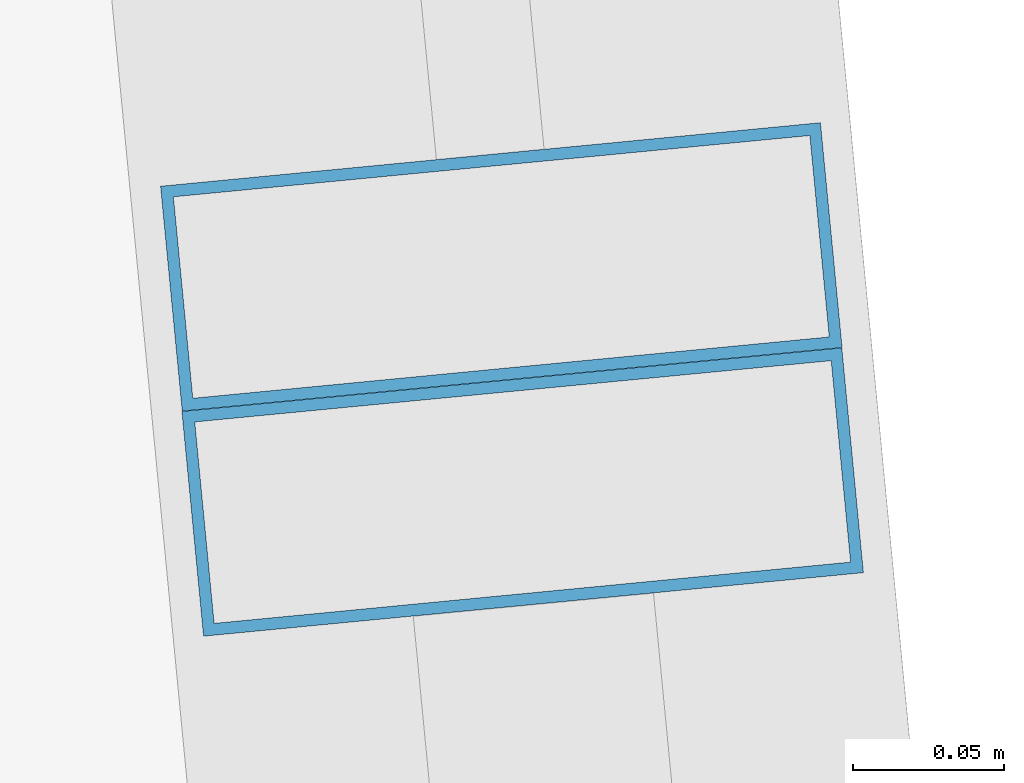
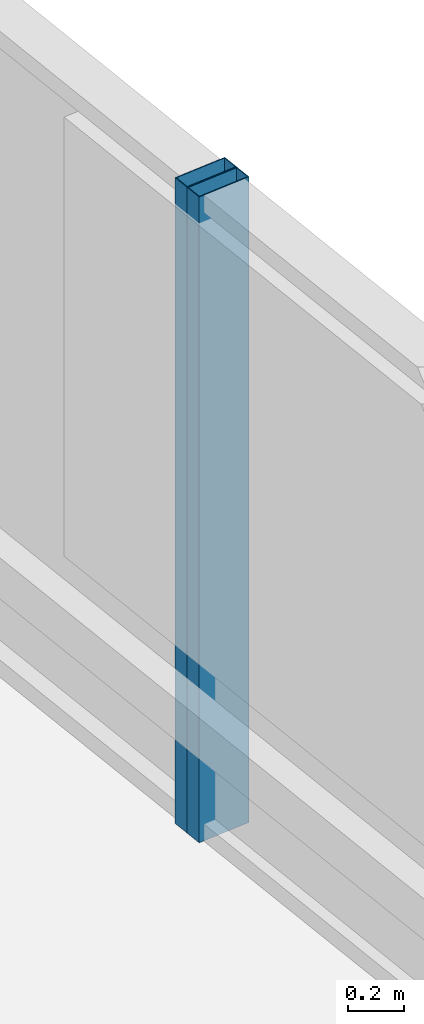
# One storey, part 19 of 34: 2 members, 2 elements without a shape of their own.
"""IFC4 building model written with IfcOpenShell, lengths in metres."""

from ifc_helpers import new_model, si_unit, direction, frame, origin, origin_2d, place, context, subcontext, project, spatial, hollow_rectangle, extrude, material, layer, layer_set, material_profile, profile_set, type_object, element, aggregate, save


model = new_model("IFC4")

# Units and contexts
model_context = context("Model", 3, precision=1e-05, world=origin(), true_north=direction((0.0, 1.0)))
body_context = subcontext(model_context, "Body", "Model", "MODEL_VIEW")
ifc_project = project(units=[si_unit("LENGTHUNIT", "METRE"), si_unit("AREAUNIT", "SQUARE_METRE"), si_unit("VOLUMEUNIT", "CUBIC_METRE"), si_unit("PLANEANGLEUNIT", "RADIAN"), si_unit("MASSUNIT", "GRAM", prefix="KILO")], contexts=[model_context])

# Site, building, storey
site_placement = place(None, origin())
site = spatial("IfcSite", under=ifc_project, at=site_placement, CompositionType="ELEMENT")
building_placement = place(site_placement, origin())
building = spatial("IfcBuilding", under=site, at=building_placement, Name="Qhalaya Broadcast Tower", CompositionType="ELEMENT")
storey_placement = place(building_placement, frame((0.0, 0.0, 78.60009765625)))
storey = spatial("IfcBuildingStorey", under=building, at=storey_placement, Name="L22", CompositionType="ELEMENT", Elevation=78.60009765625)

# Curtain wall, member
ifc_material_1 = material(Name="Fired Architectural Terracotta", Category="masonry")
ifc_layer_1 = layer(ifc_material_1, 0.219970703125, Name="Fired Architectural Terracotta")
ifc_layer_set_1 = layer_set([ifc_layer_1], Name="Fired Architectural Terracotta")
curtain_wall_type_1 = type_object("IfcCurtainWallType", Name="Block-Cap Unitised Terracotta Spandrel Wall CW-07", PredefinedType="NOTDEFINED", material=ifc_layer_set_1)
curtain_wall_1_placement = place(storey_placement, origin())
curtain_wall_1 = element("IfcCurtainWall", 1, at=curtain_wall_1_placement, inside=storey, type_object=curtain_wall_type_1, Name="L22 Unitised Curtain Wall L22-CW-E4", PredefinedType="NOTDEFINED")
ifc_material_2 = material(Name="Anodised Aluminium 6063-T6", Category="aluminium")
ifc_material_profile = material_profile(ifc_material_2, hollow_rectangle(XDim=0.074951171875, YDim=0.219970703125, WallThickness=0.00390625, at=origin_2d()), Name="ALU-MUL 75x220x4")
ifc_profile_set = profile_set([ifc_material_profile], Name="Anodised Aluminium 6063-T6")
member_type = type_object("IfcMemberType", Name="Unitised Curtain-Wall Mullion M01", PredefinedType="MULLION", material=ifc_profile_set)
member_1_placement = place(storey_placement, frame((27.6181640625, 8.888916015625, 0.0), z_axis=(0.0, 0.0, 1.0), x_axis=(-0.095841245509, 0.995396632333, 0.0)))
member_1 = element("IfcMember", 2, at=member_1_placement, type_object=member_type, Name="CW-07 mullion 2", PredefinedType="MULLION", context=body_context, shape_type="SweptSolid", body=[
    extrude(hollow_rectangle(XDim=0.074951171875, YDim=0.219970703125, WallThickness=0.00390625, at=origin_2d()), origin(), (0.0, 0.0, 1.0), 2.829833984375),
])
aggregate(curtain_wall_1, [member_1])

ifc_material_3 = material(Name="Solar-Control Low-E Triple Glazing", Category="glass")
ifc_layer_2 = layer(ifc_material_3, 0.219970703125, Name="Solar-Control Low-E Triple Glazing")
ifc_layer_set_2 = layer_set([ifc_layer_2], Name="Solar-Control Low-E Triple Glazing")
curtain_wall_type_2 = type_object("IfcCurtainWallType", Name="Even-Block 4-Storey Double-Module Curtain Wall CW-03", PredefinedType="NOTDEFINED", material=ifc_layer_set_2)
curtain_wall_2_placement = place(storey_placement, origin())
curtain_wall_2 = element("IfcCurtainWall", 3, at=curtain_wall_2_placement, inside=storey, type_object=curtain_wall_type_2, Name="L22 Unitised Curtain Wall L22-CW-E5", PredefinedType="NOTDEFINED")
member_2_placement = place(storey_placement, frame((27.611083984375, 8.963623046875, 0.0), z_axis=(0.0, 0.0, 1.0), x_axis=(-0.095852453314, 0.995395553131, 0.0)))
member_2 = element("IfcMember", 4, at=member_2_placement, type_object=member_type, Name="CW-03 mullion 1", PredefinedType="MULLION", context=body_context, shape_type="SweptSolid", body=[
    extrude(hollow_rectangle(XDim=0.074951171875, YDim=0.219970703125, WallThickness=0.00390625, at=origin_2d()), origin(), (0.0, 0.0, 1.0), 2.829833984375),
])
aggregate(curtain_wall_2, [member_2])

save(model, "model.ifc")
